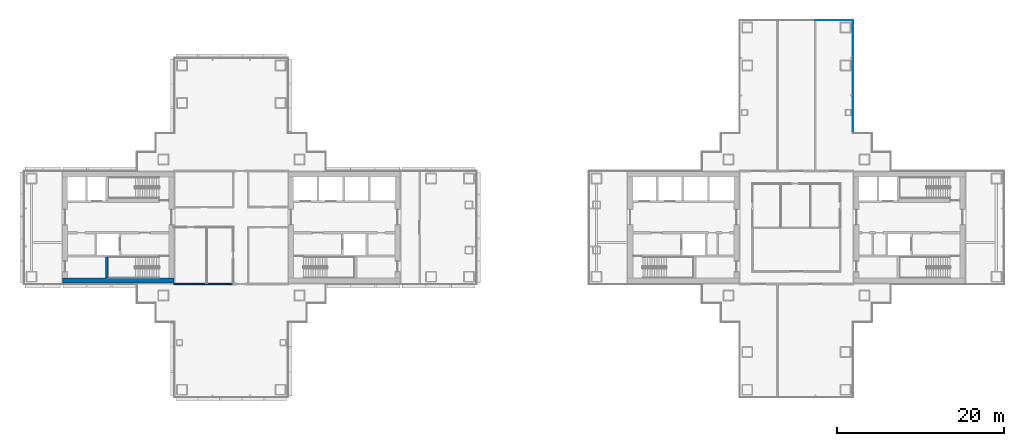
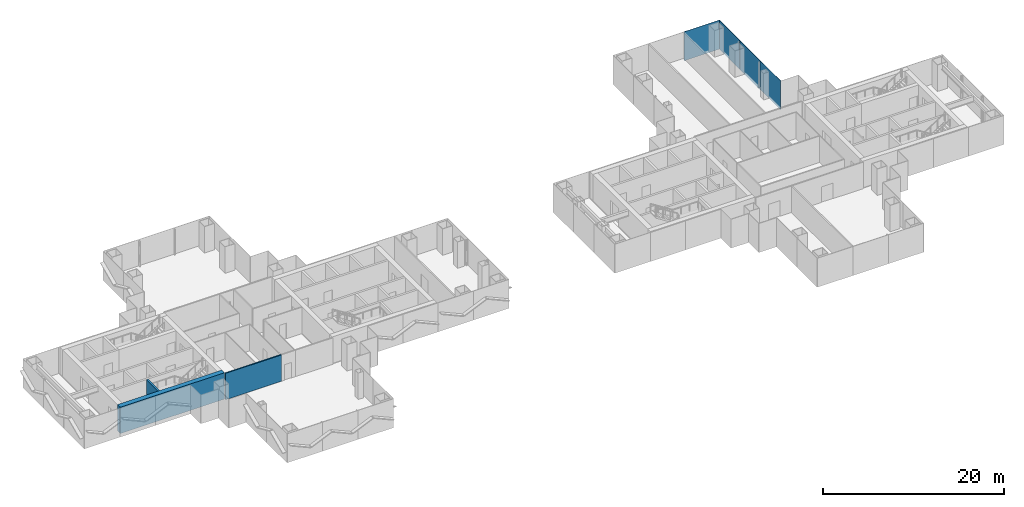
# One storey, part 11 of 18: 4 plates, 3 walls, 2 elements without a shape of their own.
"""IFC4 building model written with IfcOpenShell, lengths in metres."""

from ifc_helpers import new_model, si_unit, direction, frame, frame_2d, origin, origin_2d, place, context, subcontext, project, spatial, rectangle, extrude, material, layer, layer_set, type_object, element, aggregate, save


model = new_model("IFC4")

# Units and contexts
model_context = context("Model", 3, precision=1e-05, world=origin(), true_north=direction((0.0, 1.0)))
body_context = subcontext(model_context, "Body", "Model", "MODEL_VIEW")
ifc_project = project(units=[si_unit("LENGTHUNIT", "METRE"), si_unit("AREAUNIT", "SQUARE_METRE"), si_unit("VOLUMEUNIT", "CUBIC_METRE"), si_unit("PLANEANGLEUNIT", "RADIAN"), si_unit("MASSUNIT", "GRAM", prefix="KILO")], contexts=[model_context])

# Site, building, storey
site_placement = place(None, origin())
site = spatial("IfcSite", under=ifc_project, at=site_placement, CompositionType="ELEMENT")
building_placement = place(site_placement, origin())
building = spatial("IfcBuilding", under=site, at=building_placement, Name="Shamsa Quay Exchange Towers", CompositionType="ELEMENT")
storey_placement = place(building_placement, frame((0.0, 0.0, 117.0)))
storey = spatial("IfcBuildingStorey", under=building, at=storey_placement, Name="L27", CompositionType="ELEMENT", Elevation=117.0)

# Curtain wall, plates
ifc_material_1 = material(Name="Aluminium EN AW-6063 T6, black anodised", Category="aluminium")
ifc_layer_1 = layer(ifc_material_1, 0.280029296875)
ifc_layer_set_1 = layer_set([ifc_layer_1], Name="CW-1 UNITISED VISION GLASS")
curtain_wall_type = type_object("IfcCurtainWallType", Name="CW-1 UNITISED VISION GLASS", PredefinedType="NOTDEFINED", material=ifc_layer_set_1)
curtain_wall_1_placement = place(storey_placement, origin())
curtain_wall_1 = element("IfcCurtainWall", 1, at=curtain_wall_1_placement, inside=storey, type_object=curtain_wall_type, Name="CW1 T2-FLK-U+S L27", PredefinedType="NOTDEFINED")
ifc_material_2 = material(Name="Glass, laminated, dark tinted", Category="glass")
ifc_layer_2 = layer(ifc_material_2, 0.0400390625)
ifc_layer_set_2 = layer_set([ifc_layer_2], Name="CW-1 VISION GLASS 40")
plate_type = type_object("IfcPlateType", Name="CW-1 VISION GLASS 40", PredefinedType="CURTAIN_PANEL", material=ifc_layer_set_2)
plate_1_placement = place(storey_placement, frame((40.52001953125, 13.529052734375, -0.349853515625), z_axis=(0.0, 0.0, 1.0), x_axis=(0.0, 1.0, 0.0)))
plate_1 = element("IfcPlate", 2, at=plate_1_placement, type_object=plate_type, Name="CW1 glass panel", PredefinedType="CURTAIN_PANEL", context=body_context, shape_type="SweptSolid", body=[
    extrude(rectangle(XDim=4.482421875, YDim=0.0400390625, at=origin_2d()), origin(), (0.0, 0.0, 1.0), 3.89990234375),
])
plate_2_placement = place(storey_placement, frame((40.52001953125, 18.01904296875, -0.349853515625), z_axis=(0.0, 0.0, 1.0), x_axis=(0.0, 1.0, 0.0)))
plate_2 = element("IfcPlate", 3, at=plate_2_placement, type_object=plate_type, Name="CW1 glass panel", PredefinedType="CURTAIN_PANEL", context=body_context, shape_type="SweptSolid", body=[
    extrude(rectangle(XDim=4.477294921875, YDim=0.0400390625, at=origin_2d()), origin(), (0.0, 0.0, 1.0), 3.89990234375),
])
plate_3_placement = place(storey_placement, frame((40.52001953125, 22.5087890625, -0.349853515625), z_axis=(0.0, 0.0, 1.0), x_axis=(0.0, 1.0, 0.0)))
plate_3 = element("IfcPlate", 4, at=plate_3_placement, type_object=plate_type, Name="CW1 glass panel", PredefinedType="CURTAIN_PANEL", context=body_context, shape_type="SweptSolid", body=[
    extrude(rectangle(XDim=4.482421875, YDim=0.0400390625, at=origin_2d()), origin(), (0.0, 0.0, 1.0), 3.89990234375),
])
aggregate(curtain_wall_1, [plate_1, plate_2, plate_3])

# Curtain wall, plate
curtain_wall_2_placement = place(storey_placement, origin())
curtain_wall_2 = element("IfcCurtainWall", 5, at=curtain_wall_2_placement, inside=storey, type_object=curtain_wall_type, Name="CW1 T2-END-U+ L27", PredefinedType="NOTDEFINED")
plate_4_placement = place(storey_placement, frame((38.25244140625, 24.77001953125, -0.349853515625), z_axis=(0.0, 0.0, 1.0), x_axis=(-1.0, 0.0, 0.0)))
plate_4 = element("IfcPlate", 6, at=plate_4_placement, type_object=plate_type, Name="CW1 glass panel", PredefinedType="CURTAIN_PANEL", context=body_context, shape_type="SweptSolid", body=[
    extrude(rectangle(XDim=4.4951171875, YDim=0.0400390625, at=origin_2d()), origin(), (0.0, 0.0, 1.0), 3.89990234375),
])
aggregate(curtain_wall_2, [plate_4])

# Walls
ifc_material_3 = material(Name="Concrete C70/85", Category="concrete")
ifc_layer_3 = layer(ifc_material_3, 0.60009765625)
ifc_layer_set_3 = layer_set([ifc_layer_3], Name="CORE WALL 600 C70/85")
wall_type_1 = type_object("IfcWallType", Name="CORE WALL 600 C70/85", PredefinedType="SHEAR", material=ifc_layer_set_3)
wall_1_placement = place(storey_placement, frame((-40.60009765625, -6.35009765625, 0.0), z_axis=(0.0, 0.0, 1.0), x_axis=(-1.0, 0.0, 0.0)))
element("IfcWall", 7, at=wall_1_placement, inside=storey, type_object=wall_type_1, Name="Core wall T1B-R12-PS", PredefinedType="SHEAR", context=body_context, shape_type="SweptSolid", body=[
    extrude(rectangle(XDim=13.2998046875, YDim=0.60009765625, at=frame_2d((6.64990234375, 0.0))), origin(), (0.0, 0.0, 1.0), 3.550048828125),
])
ifc_material_4 = material(Name="Gypsum board partition on metal studs")
ifc_layer_4 = layer(ifc_material_4, 0.14990234375)
ifc_layer_set_4 = layer_set([ifc_layer_4], Name="Partition 150 mm EI 60")
wall_type_2 = type_object("IfcWallType", Name="Partition 150 mm EI 60", PredefinedType="PARTITIONING", material=ifc_layer_set_4)
wall_2_placement = place(storey_placement, frame((-40.60009765625, -6.75, 0.0)))
element("IfcWall", 8, at=wall_2_placement, inside=storey, type_object=wall_type_2, Name="Partition T1-R12-W14", PredefinedType="PARTITIONING", context=body_context, shape_type="SweptSolid", body=[
    extrude(rectangle(XDim=7.124755859375, YDim=0.14990234375, at=frame_2d((3.5625, 0.0))), origin(), (0.0, 0.0, 1.0), 3.550048828125),
])
ifc_material_5 = material(Name="Concrete C50/60", Category="concrete")
ifc_layer_5 = layer(ifc_material_5, 0.25)
ifc_layer_set_5 = layer_set([ifc_layer_5], Name="SHAFT WALL 250 C50/60")
wall_type_3 = type_object("IfcWallType", Name="SHAFT WALL 250 C50/60", PredefinedType="SHEAR", material=ifc_layer_set_5)
wall_3_placement = place(storey_placement, frame((-48.625, -6.050048828125, 0.0), z_axis=(0.0, 0.0, 1.0), x_axis=(0.0, 1.0, 0.0)))
element("IfcWall", 9, at=wall_3_placement, inside=storey, type_object=wall_type_3, Name="Shaft wall T1B-R12-STF", PredefinedType="SHEAR", context=body_context, shape_type="SweptSolid", body=[
    extrude(rectangle(XDim=2.550048828125, YDim=0.25, at=frame_2d((1.27490234375, 0.0))), origin(), (0.0, 0.0, 1.0), 3.550048828125),
])

save(model, "model.ifc")
